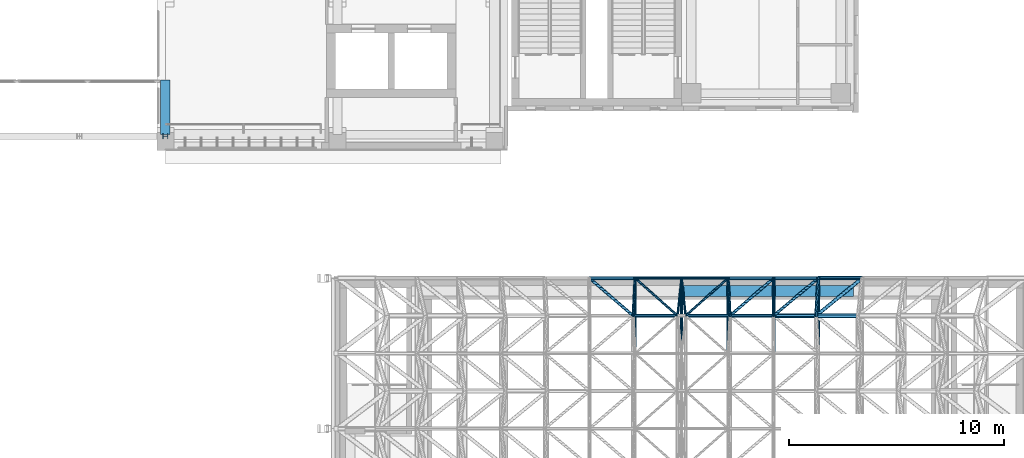
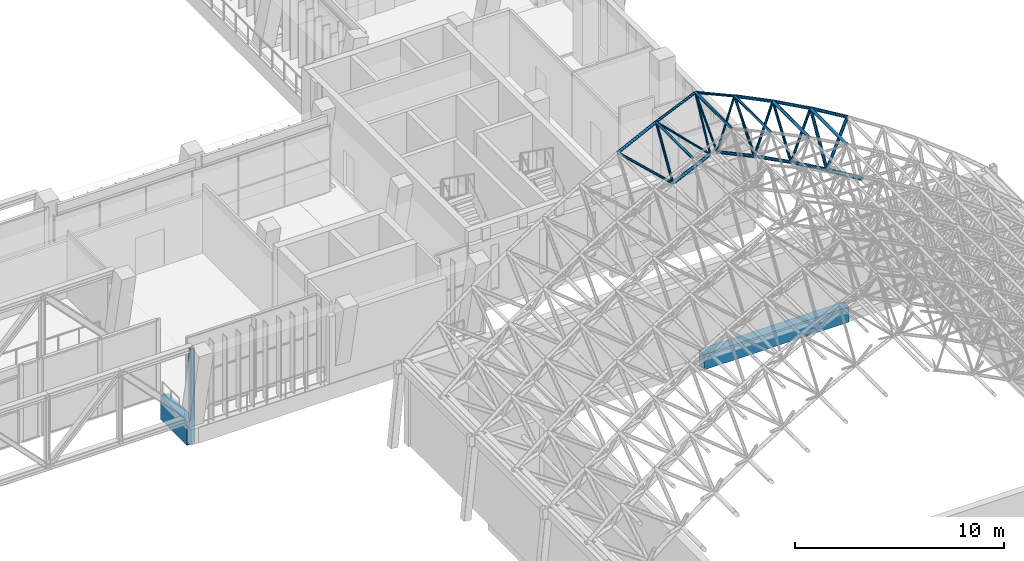
# One storey, part 53 of 141: 29 members, 2 beams.
"""IFC4 building model written with IfcOpenShell, lengths in metres."""

from ifc_helpers import new_model, si_unit, direction, frame, origin, origin_2d, place, context, subcontext, project, spatial, rectangle, hollow_circle, i_section, extrude, material, material_profile, profile_set, type_object, element, save


model = new_model("IFC4")

# Units and contexts
model_context = context("Model", 3, precision=1e-05, world=origin(), true_north=direction((0.0, 1.0)))
body_context = subcontext(model_context, "Body", "Model", "MODEL_VIEW")
ifc_project = project(units=[si_unit("LENGTHUNIT", "METRE"), si_unit("AREAUNIT", "SQUARE_METRE"), si_unit("VOLUMEUNIT", "CUBIC_METRE"), si_unit("PLANEANGLEUNIT", "RADIAN"), si_unit("MASSUNIT", "GRAM", prefix="KILO")], contexts=[model_context])

# Site, building, storey
site_placement = place(None, origin())
site = spatial("IfcSite", under=ifc_project, at=site_placement, CompositionType="ELEMENT")
building_placement = place(site_placement, origin())
building = spatial("IfcBuilding", under=site, at=building_placement, Name="Lantern Court Media Centre", CompositionType="ELEMENT")
storey_placement = place(building_placement, frame((0.0, 0.0, 9.60009765625)))
storey = spatial("IfcBuildingStorey", under=building, at=storey_placement, Name="L02", CompositionType="ELEMENT", Elevation=9.60009765625)

# Member
ifc_material_1 = material(Name="Steel S355J2 (EN 10025-2)", Category="steel")
ifc_material_profile_1 = material_profile(ifc_material_1, i_section(OverallWidth=0.239990234375, OverallDepth=0.239990234375, WebThickness=0.010009765625, FlangeThickness=0.01708984375, FilletRadius=0.02099609375, at=origin_2d()), Name="HEB 240")
ifc_profile_set_1 = profile_set([ifc_material_profile_1], Name="Steel S355J2 (EN 10025-2)")
member_type_1 = type_object("IfcMemberType", Name="Entrance transfer truss vertical HEB 240", PredefinedType="POST", material=ifc_profile_set_1)
member_1_placement = place(storey_placement, frame((64.0, 46.60009765625, 0.1884765625), z_axis=(0.0, 0.0, 1.0), x_axis=(0.0, 1.0, 0.0)))
element("IfcMember", 1, at=member_1_placement, inside=storey, type_object=member_type_1, Name="Transfer truss 1 vertical 7", PredefinedType="POST", context=body_context, shape_type="SweptSolid", body=[
    extrude(i_section(OverallWidth=0.239990234375, OverallDepth=0.239990234375, WebThickness=0.010009765625, FlangeThickness=0.01708984375, FilletRadius=0.02099609375, at=origin_2d()), origin(), (0.0, 0.0, 1.0), 4.123046875),
])

# Beams
ifc_material_2 = material(Name="Concrete C35", Category="concrete")
ifc_material_profile_2 = material_profile(ifc_material_2, rectangle(XDim=0.449951171875, YDim=1.39990234375, at=origin_2d()), Name="RC 450x1400")
ifc_profile_set_2 = profile_set([ifc_material_profile_2], Name="Concrete C35")
beam_type_1 = type_object("IfcBeamType", Name="RC BEAM 450x1400", PredefinedType="BEAM", material=ifc_profile_set_2)
beam_1_placement = place(storey_placement, frame((64.0, 46.683349609375, -0.7001953125), z_axis=(0.0, 1.0, 0.0), x_axis=(-1.0, 0.0, 0.0)))
element("IfcBeam", 2, at=beam_1_placement, inside=storey, type_object=beam_type_1, Name="TB-S-L02-5-1", PredefinedType="BEAM", context=body_context, shape_type="SweptSolid", body=[
    extrude(rectangle(XDim=0.449951171875, YDim=1.39990234375, at=origin_2d()), origin(), (0.0, 0.0, 1.0), 2.5166015625),
])
ifc_material_profile_3 = material_profile(ifc_material_2, rectangle(XDim=0.5, YDim=0.89990234375, at=origin_2d()), Name="RC 500x900")
ifc_profile_set_3 = profile_set([ifc_material_profile_3], Name="Concrete C35")
beam_type_2 = type_object("IfcBeamType", Name="RC BEAM 500x900", PredefinedType="BEAM", material=ifc_profile_set_3)
beam_2_placement = place(storey_placement, frame((88.0, 39.39990234375, -0.4501953125), z_axis=(1.0, 0.0, 0.0), x_axis=(0.0, 1.0, 0.0)))
element("IfcBeam", 3, at=beam_2_placement, inside=storey, type_object=beam_type_2, Name="HB-V2-L02-FX6-2", PredefinedType="BEAM", context=body_context, shape_type="SweptSolid", body=[
    extrude(rectangle(XDim=0.5, YDim=0.89990234375, at=origin_2d()), origin(), (0.0, 0.0, 1.0), 8.0),
])

# Members
ifc_material_profile_4 = material_profile(ifc_material_1, hollow_circle(Radius=0.0888671875, WallThickness=0.008056640625, at=origin_2d()), Name="Studio Hall bottom CHS 177.8x8")
ifc_profile_set_4 = profile_set([ifc_material_profile_4], Name="Steel S355J2 (EN 10025-2)")
member_type_2 = type_object("IfcMemberType", Name="Studio Hall bottom CHS 177.8x8", PredefinedType="CHORD", material=ifc_profile_set_4)
for number, where, z_axis, x_axis, name in (
    (4, (85.748291015625, 38.25, 11.3466796875), (0.904668285171, 0.0, 0.426116526088), (0.0, 1.0, 0.0), "Studio Hall bottom chord 07-12 across"),
    (5, (88.187744140625, 38.25, 12.31884765625), (0.904668285171, 0.0, -0.426116526088), (0.0, 1.0, 0.0), "Studio Hall bottom chord 09-12 across"),
):
    element("IfcMember", number, at=place(storey_placement, frame(where, z_axis=z_axis, x_axis=x_axis)), inside=storey, type_object=member_type_2, Name=name, PredefinedType="CHORD", context=body_context, shape_type="SweptSolid", body=[
        extrude(hollow_circle(Radius=0.0888671875, WallThickness=0.008056640625, at=origin_2d()), origin(), (0.0, 0.0, 1.0), 2.281494140625),
    ])
member_2_placement = place(storey_placement, frame((90.251708984375, 38.25, 11.3466796875), z_axis=(0.887164230848, 0.0, -0.461453819471), x_axis=(0.0, 1.0, 0.0)))
element("IfcMember", 6, at=member_2_placement, inside=storey, type_object=member_type_2, Name="Studio Hall bottom chord 10-12 across", PredefinedType="CHORD", context=body_context, shape_type="SweptSolid", body=[
    extrude(hollow_circle(Radius=0.0888671875, WallThickness=0.008056640625, at=origin_2d()), origin(), (0.0, 0.0, 1.0), 2.28125),
])
ifc_material_profile_5 = material_profile(ifc_material_1, hollow_circle(Radius=0.096923828125, WallThickness=0.008056640625, at=origin_2d()), Name="Studio Hall bottom CHS 193.7x8")
ifc_profile_set_5 = profile_set([ifc_material_profile_5], Name="Steel S355J2 (EN 10025-2)")
member_type_3 = type_object("IfcMemberType", Name="Studio Hall bottom CHS 193.7x8", PredefinedType="CHORD", material=ifc_profile_set_5)
member_3_placement = place(storey_placement, frame((92.275634765625, 38.25, 10.2939453125), z_axis=(0.868243142124, 0.0, -0.496138938357), x_axis=(0.0, 1.0, 0.0)))
element("IfcMember", 7, at=member_3_placement, inside=storey, type_object=member_type_3, Name="Studio Hall bottom chord 11-12 across", PredefinedType="CHORD", context=body_context, shape_type="SweptSolid", body=[
    extrude(hollow_circle(Radius=0.096923828125, WallThickness=0.008056640625, at=origin_2d()), origin(), (0.0, 0.0, 1.0), 2.28125),
])
ifc_material_profile_6 = material_profile(ifc_material_1, hollow_circle(Radius=0.109619140625, WallThickness=0.010009765625, at=origin_2d()), Name="Studio Hall bottom CHS 219.1x10")
ifc_profile_set_6 = profile_set([ifc_material_profile_6], Name="Steel S355J2 (EN 10025-2)")
member_type_4 = type_object("IfcMemberType", Name="Studio Hall bottom CHS 219.1x10", PredefinedType="CHORD", material=ifc_profile_set_6)
member_4_placement = place(storey_placement, frame((94.25634765625, 38.25, 9.162109375), z_axis=(0.848022352453, 0.0, -0.529960460544), x_axis=(0.0, 1.0, 0.0)))
element("IfcMember", 8, at=member_4_placement, inside=storey, type_object=member_type_4, Name="Studio Hall bottom chord 12-12 across", PredefinedType="CHORD", context=body_context, shape_type="SweptSolid", body=[
    extrude(hollow_circle(Radius=0.109619140625, WallThickness=0.010009765625, at=origin_2d()), origin(), (0.0, 0.0, 1.0), 2.28125),
])
ifc_material_profile_7 = material_profile(ifc_material_1, hollow_circle(Radius=0.05712890625, WallThickness=0.0048828125, at=origin_2d()), Name="Studio Hall diagonal CHS 114.3x5")
ifc_profile_set_7 = profile_set([ifc_material_profile_7], Name="Steel S355J2 (EN 10025-2)")
member_type_5 = type_object("IfcMemberType", Name="Studio Hall diagonal CHS 114.3x5", PredefinedType="BRACE", material=ifc_profile_set_7)
member_5_placement = place(storey_placement, frame((87.812255859375, 38.25, 12.31884765625), z_axis=(0.061720233377, 0.575306414621, 0.815605996844), x_axis=(-0.994294451035, 0.106670261279, 0.0)))
element("IfcMember", 9, at=member_5_placement, inside=storey, type_object=member_type_5, Name="Studio Hall diagonal 08-12-3", PredefinedType="BRACE", context=body_context, shape_type="SweptSolid", body=[
    extrude(hollow_circle(Radius=0.05712890625, WallThickness=0.0048828125, at=origin_2d()), origin(), (0.0, 0.0, 1.0), 3.041748046875),
])
for number, where, z_axis, x_axis, name in (
    (10, (87.812255859375, 38.25, 12.31884765625), (-0.64897917405, 0.57530085575, 0.497850335967), (-0.663352272412, -0.748307264889, 0.0), "Studio Hall diagonal 08-12-4"),
    (11, (88.187744140625, 38.25, 12.31884765625), (0.64897917405, 0.57530085575, 0.497850335967), (-0.663352272412, 0.748307264889, 0.0), "Studio Hall diagonal 09-12-3"),
):
    element("IfcMember", number, at=place(storey_placement, frame(where, z_axis=z_axis, x_axis=x_axis)), inside=storey, type_object=member_type_5, Name=name, PredefinedType="BRACE", context=body_context, shape_type="SweptSolid", body=[
        extrude(hollow_circle(Radius=0.05712890625, WallThickness=0.0048828125, at=origin_2d()), origin(), (0.0, 0.0, 1.0), 3.0419921875),
    ])
member_6_placement = place(storey_placement, frame((88.187744140625, 38.25, 12.31884765625), z_axis=(-0.061720233377, 0.575306414621, 0.815605996844), x_axis=(-0.994294451035, -0.106670261279, 0.0)))
element("IfcMember", 12, at=member_6_placement, inside=storey, type_object=member_type_5, Name="Studio Hall diagonal 09-12-4", PredefinedType="BRACE", context=body_context, shape_type="SweptSolid", body=[
    extrude(hollow_circle(Radius=0.05712890625, WallThickness=0.0048828125, at=origin_2d()), origin(), (0.0, 0.0, 1.0), 3.041748046875),
])
ifc_material_profile_8 = material_profile(ifc_material_1, hollow_circle(Radius=0.06982421875, WallThickness=0.00634765625, at=origin_2d()), Name="Studio Hall diagonal CHS 139.7x6.3")
ifc_profile_set_8 = profile_set([ifc_material_profile_8], Name="Steel S355J2 (EN 10025-2)")
member_type_6 = type_object("IfcMemberType", Name="Studio Hall diagonal CHS 139.7x6.3", PredefinedType="BRACE", material=ifc_profile_set_8)
for number, where, z_axis, x_axis, name in (
    (13, (85.748291015625, 38.25, 11.3466796875), (0.029534674704, 0.575284098581, 0.817420276792), (-0.998684738299, 0.051271761118, 0.0), "Studio Hall diagonal 07-12-3"),
    (14, (85.748291015625, 38.25, 11.3466796875), (-0.668074997838, 0.575295721349, 0.471922271419), (-0.652528943422, -0.757763800927, 0.0), "Studio Hall diagonal 07-12-4"),
    (15, (90.251708984375, 38.25, 11.3466796875), (0.668074997838, 0.575295721349, 0.471922271419), (-0.652528943422, 0.757763800927, 0.0), "Studio Hall diagonal 10-12-3"),
    (16, (90.251708984375, 38.25, 11.3466796875), (-0.029534674704, 0.575284098581, 0.817420276792), (-0.998684738299, -0.051271761118, 0.0), "Studio Hall diagonal 10-12-4"),
    (17, (92.275634765625, 38.25, 10.2939453125), (0.686219606918, 0.575300835367, 0.445119759061), (-0.642456097081, 0.76632249303, 0.0), "Studio Hall diagonal 11-12-3"),
    (18, (92.275634765625, 38.25, 10.2939453125), (0.002728673556, 0.575268589684, 0.817960025957), (-0.999988750725, 0.004743250213, 0.0), "Studio Hall diagonal 11-12-4"),
):
    element("IfcMember", number, at=place(storey_placement, frame(where, z_axis=z_axis, x_axis=x_axis)), inside=storey, type_object=member_type_6, Name=name, PredefinedType="BRACE", context=body_context, shape_type="SweptSolid", body=[
        extrude(hollow_circle(Radius=0.06982421875, WallThickness=0.00634765625, at=origin_2d()), origin(), (0.0, 0.0, 1.0), 3.0419921875),
    ])
ifc_material_profile_9 = material_profile(ifc_material_1, hollow_circle(Radius=0.084228515625, WallThickness=0.00634765625, at=origin_2d()), Name="Studio Hall diagonal CHS 168.3x6.3")
ifc_profile_set_9 = profile_set([ifc_material_profile_9], Name="Steel S355J2 (EN 10025-2)")
member_type_7 = type_object("IfcMemberType", Name="Studio Hall diagonal CHS 168.3x6.3", PredefinedType="BRACE", material=ifc_profile_set_9)
for number, where, z_axis, x_axis, name in (
    (19, (94.25634765625, 38.25, 9.162109375), (0.703225463004, 0.575293325589, 0.417745781207), (-0.633189685482, 0.77399665516, 0.0), "Studio Hall diagonal 12-12-3"),
    (20, (94.25634765625, 38.25, 9.162109375), (0.035073053804, 0.575294392838, 0.817194127773), (-0.99814677432, 0.060852419138, 0.0), "Studio Hall diagonal 12-12-4"),
):
    element("IfcMember", number, at=place(storey_placement, frame(where, z_axis=z_axis, x_axis=x_axis)), inside=storey, type_object=member_type_7, Name=name, PredefinedType="BRACE", context=body_context, shape_type="SweptSolid", body=[
        extrude(hollow_circle(Radius=0.084228515625, WallThickness=0.00634765625, at=origin_2d()), origin(), (0.0, 0.0, 1.0), 3.0419921875),
    ])
ifc_material_profile_10 = material_profile(ifc_material_1, hollow_circle(Radius=0.06982421875, WallThickness=0.00634765625, at=origin_2d()), Name="Studio Hall top CHS 139.7x6.3")
ifc_profile_set_10 = profile_set([ifc_material_profile_10], Name="Steel S355J2 (EN 10025-2)")
member_type_8 = type_object("IfcMemberType", Name="Studio Hall top CHS 139.7x6.3", PredefinedType="CHORD", material=ifc_profile_set_10)
for number, where, z_axis, x_axis, name in (
    (21, (85.838134765625, 36.5, 13.833251953125), (0.0, 1.0, 0.0), (-1.0, 0.0, 0.0), "Studio Hall top chord 08-12"),
    (22, (88.0, 36.5, 14.7998046875), (0.0, 1.0, 0.0), (-1.0, 0.0, 0.0), "Studio Hall top chord 09-12"),
    (23, (90.161865234375, 36.5, 13.833251953125), (0.0, 1.0, 0.0), (-1.0, 0.0, 0.0), "Studio Hall top chord 10-12"),
):
    element("IfcMember", number, at=place(storey_placement, frame(where, z_axis=z_axis, x_axis=x_axis)), inside=storey, type_object=member_type_8, Name=name, PredefinedType="CHORD", context=body_context, shape_type="SweptSolid", body=[
        extrude(hollow_circle(Radius=0.06982421875, WallThickness=0.00634765625, at=origin_2d()), origin(), (0.0, 0.0, 1.0), 3.5),
    ])
for number, where, z_axis, x_axis, name in (
    (24, (85.838134765625, 40.0, 13.833251953125), (0.912912280931, 0.0, 0.408155812559), (0.0, 1.0, 0.0), "Studio Hall top chord 08-13 across"),
    (25, (88.0, 40.0, 14.7998046875), (0.912912280931, 0.0, -0.408155812559), (0.0, 1.0, 0.0), "Studio Hall top chord 09-13 across"),
):
    element("IfcMember", number, at=place(storey_placement, frame(where, z_axis=z_axis, x_axis=x_axis)), inside=storey, type_object=member_type_8, Name=name, PredefinedType="CHORD", context=body_context, shape_type="SweptSolid", body=[
        extrude(hollow_circle(Radius=0.06982421875, WallThickness=0.00634765625, at=origin_2d()), origin(), (0.0, 0.0, 1.0), 2.3681640625),
    ])
ifc_material_profile_11 = material_profile(ifc_material_1, hollow_circle(Radius=0.084228515625, WallThickness=0.00634765625, at=origin_2d()), Name="Studio Hall top CHS 168.3x6.3")
ifc_profile_set_11 = profile_set([ifc_material_profile_11], Name="Steel S355J2 (EN 10025-2)")
member_type_9 = type_object("IfcMemberType", Name="Studio Hall top CHS 168.3x6.3", PredefinedType="CHORD", material=ifc_profile_set_11)
for number, where, z_axis, x_axis, name in (
    (26, (92.283935546875, 36.5, 12.7822265625), (0.0, 1.0, 0.0), (-1.0, 0.0, 0.0), "Studio Hall top chord 11-12"),
    (27, (94.363037109375, 36.5, 11.64794921875), (0.0, 1.0, 0.0), (-1.0, 0.0, 0.0), "Studio Hall top chord 12-12"),
):
    element("IfcMember", number, at=place(storey_placement, frame(where, z_axis=z_axis, x_axis=x_axis)), inside=storey, type_object=member_type_9, Name=name, PredefinedType="CHORD", context=body_context, shape_type="SweptSolid", body=[
        extrude(hollow_circle(Radius=0.084228515625, WallThickness=0.00634765625, at=origin_2d()), origin(), (0.0, 0.0, 1.0), 3.5),
    ])
for number, where, z_axis, x_axis, name in (
    (28, (83.716064453125, 40.0, 12.7822265625), (0.89611157523, 0.0, 0.443828846222), (0.0, 1.0, 0.0), "Studio Hall top chord 07-13 across"),
    (29, (90.161865234375, 40.0, 13.833251953125), (0.89611157523, 0.0, -0.443828846222), (0.0, 1.0, 0.0), "Studio Hall top chord 10-13 across"),
):
    element("IfcMember", number, at=place(storey_placement, frame(where, z_axis=z_axis, x_axis=x_axis)), inside=storey, type_object=member_type_9, Name=name, PredefinedType="CHORD", context=body_context, shape_type="SweptSolid", body=[
        extrude(hollow_circle(Radius=0.084228515625, WallThickness=0.00634765625, at=origin_2d()), origin(), (0.0, 0.0, 1.0), 2.3681640625),
    ])
member_7_placement = place(storey_placement, frame((92.283935546875, 40.0, 12.7822265625), z_axis=(0.877856175106, 0.0, -0.478924352929), x_axis=(0.0, 1.0, 0.0)))
element("IfcMember", 30, at=member_7_placement, inside=storey, type_object=member_type_9, Name="Studio Hall top chord 11-13 across", PredefinedType="CHORD", context=body_context, shape_type="SweptSolid", body=[
    extrude(hollow_circle(Radius=0.084228515625, WallThickness=0.00634765625, at=origin_2d()), origin(), (0.0, 0.0, 1.0), 2.368408203125),
])
ifc_material_profile_12 = material_profile(ifc_material_1, hollow_circle(Radius=0.0888671875, WallThickness=0.008056640625, at=origin_2d()), Name="Studio Hall top CHS 177.8x8")
ifc_profile_set_12 = profile_set([ifc_material_profile_12], Name="Steel S355J2 (EN 10025-2)")
member_type_10 = type_object("IfcMemberType", Name="Studio Hall top CHS 177.8x8", PredefinedType="CHORD", material=ifc_profile_set_12)
member_8_placement = place(storey_placement, frame((94.363037109375, 40.0, 11.64794921875), z_axis=(0.858310578199, 0.0, -0.513130540264), x_axis=(0.0, 1.0, 0.0)))
element("IfcMember", 31, at=member_8_placement, inside=storey, type_object=member_type_10, Name="Studio Hall top chord 12-13 across", PredefinedType="CHORD", context=body_context, shape_type="SweptSolid", body=[
    extrude(hollow_circle(Radius=0.0888671875, WallThickness=0.008056640625, at=origin_2d()), origin(), (0.0, 0.0, 1.0), 2.367919921875),
])

save(model, "model.ifc")
